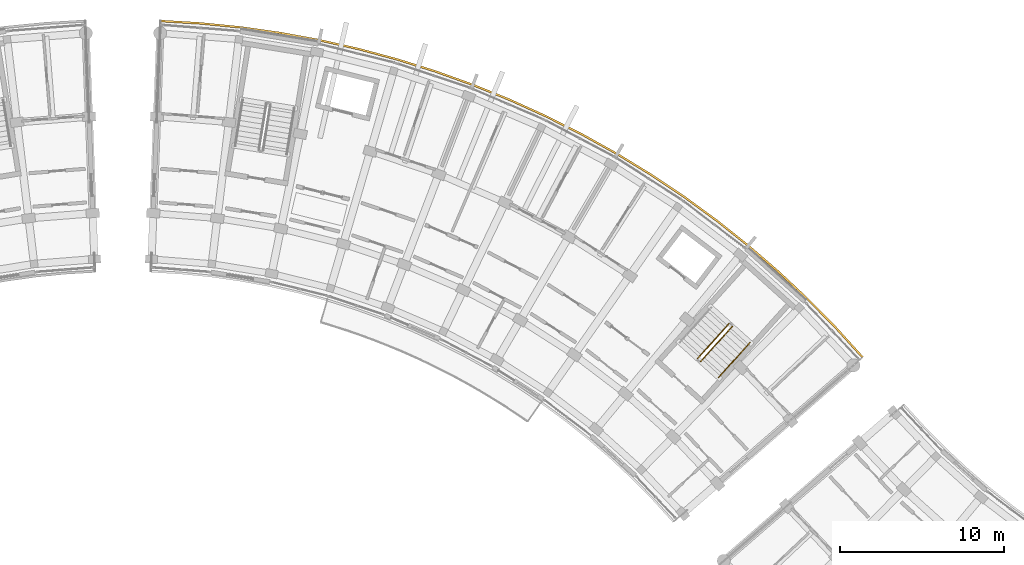
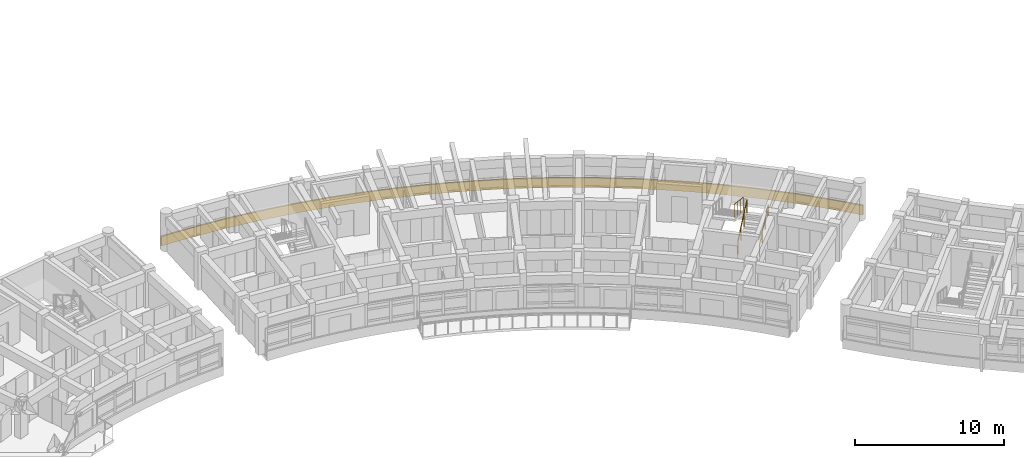
# One storey, part 52 of 56: 4 railings.
"""IFC4 building model written with IfcOpenShell, lengths in metres."""

from ifc_helpers import new_model, si_unit, direction, frame, origin, origin_2d, place, context, subcontext, project, spatial, polyline, circle, outline, extrude, material, type_object, element, save


model = new_model("IFC4")

# Units and contexts
model_context = context("Model", 3, precision=1e-05, world=origin(), true_north=direction((0.0, 1.0)))
body_context = subcontext(model_context, "Body", "Model", "MODEL_VIEW")
ifc_project = project(units=[si_unit("LENGTHUNIT", "METRE"), si_unit("AREAUNIT", "SQUARE_METRE"), si_unit("VOLUMEUNIT", "CUBIC_METRE"), si_unit("PLANEANGLEUNIT", "RADIAN"), si_unit("MASSUNIT", "GRAM", prefix="KILO")], contexts=[model_context])

# Site, building, storey
site_placement = place(None, origin())
site = spatial("IfcSite", under=ifc_project, at=site_placement, CompositionType="ELEMENT")
building_placement = place(site_placement, origin())
building = spatial("IfcBuilding", under=site, at=building_placement, Name="Zimvara Arc Housing Community", CompositionType="ELEMENT")
storey_placement = place(building_placement, frame((0.0, 0.0, 11.199951171875)))
storey = spatial("IfcBuildingStorey", under=building, at=storey_placement, Name="L03", CompositionType="ELEMENT", Elevation=11.199951171875)

# Railings
ifc_material_1 = material(Name="Anodised Aluminium AW-6063", Category="aluminium")
railing_type_1 = type_object("IfcRailingType", Name="RLG-BAL-1120", PredefinedType="BALUSTRADE", material=ifc_material_1)
railing_1_placement = place(storey_placement, frame((80.1455078125, 83.365966796875, 0.155029296875)))
element("IfcRailing", 1, at=railing_1_placement, inside=storey, type_object=railing_type_1, Name="L03 ST-B2 stair guard 1", PredefinedType="BALUSTRADE", context=body_context, shape_type="SweptSolid", body=[
    extrude(circle(Radius=0.02392578125, at=origin_2d()), frame((0.0, 0.0, 1.09619140625), z_axis=(0.601231728384, 0.668248248038, 0.438137749775), x_axis=(-0.743400174344, 0.668846903847, 0.0)), (0.0, 0.0, 1.0), 3.18408203125),
    extrude(circle(Radius=0.02099609375, at=origin_2d()), origin(), (0.0, 0.0, 1.0), 1.072021484375),
    extrude(circle(Radius=0.02099609375, at=origin_2d()), frame((0.63818359375, 0.709228515625, 0.465087890625)), (0.0, 0.0, 1.0), 1.072021484375),
    extrude(circle(Radius=0.02099609375, at=origin_2d()), frame((1.276123046875, 1.41845703125, 0.929931640625)), (0.0, 0.0, 1.0), 1.072021484375),
    extrude(circle(Radius=0.02099609375, at=origin_2d()), frame((1.914306640625, 2.127685546875, 1.39501953125)), (0.0, 0.0, 1.0), 1.072021484375),
])
railing_2_placement = place(storey_placement, frame((81.866455078125, 85.66748046875, 1.705078125)))
element("IfcRailing", 2, at=railing_2_placement, inside=storey, type_object=railing_type_1, Name="L03 ST-B2 stair guard 3", PredefinedType="BALUSTRADE", context=body_context, shape_type="SweptSolid", body=[
    extrude(circle(Radius=0.02392578125, at=origin_2d()), frame((0.0, 0.0, 1.09619140625), z_axis=(-0.601262536038, -0.668205807809, 0.438160200347), x_axis=(0.743362010683, -0.668889319, 0.0)), (0.0, 0.0, 1.0), 3.183837890625),
    extrude(circle(Radius=0.02099609375, at=origin_2d()), origin(), (0.0, 0.0, 1.0), 1.072021484375),
    extrude(circle(Radius=0.02099609375, at=origin_2d()), frame((-0.63818359375, -0.709228515625, 0.465087890625)), (0.0, 0.0, 1.0), 1.072021484375),
    extrude(circle(Radius=0.02099609375, at=origin_2d()), frame((-1.276123046875, -1.418212890625, 0.929931640625)), (0.0, 0.0, 1.0), 1.072021484375),
    extrude(circle(Radius=0.02099609375, at=origin_2d()), frame((-1.914306640625, -2.12744140625, 1.39501953125)), (0.0, 0.0, 1.0), 1.072021484375),
])
ifc_material_2 = material(Name="Pale-Gold Anodised Aluminium AW-6063", Category="aluminium")
railing_type_2 = type_object("IfcRailingType", Name="RLG-FAS-780", PredefinedType="BALUSTRADE", material=ifc_material_2)
railing_3_placement = place(storey_placement, frame((0.0, 0.0, -0.219970703125)))
element("IfcRailing", 3, at=railing_3_placement, inside=storey, type_object=railing_type_2, Name="rlg:blkB:L03:gold_out", PredefinedType="BALUSTRADE", context=body_context, shape_type="SweptSolid", body=[
    extrude(outline(polyline([(47.286376953125, 104.01611328125), (49.71435546875, 103.873046875), (52.134765625, 103.631103515625), (54.54296875, 103.29052734375), (56.935546875, 102.851806640625), (59.307861328125, 102.31591796875), (61.65673828125, 101.68359375), (63.9775390625, 100.955810546875), (66.266845703125, 100.1337890625), (68.5205078125, 99.218994140625), (70.735107421875, 98.213134765625), (72.90673828125, 97.11767578125), (75.03173828125, 95.934326171875), (77.106689453125, 94.665283203125), (79.128173828125, 93.3125), (81.0927734375, 91.87841796875), (82.9970703125, 90.365234375), (84.837890625, 88.775634765625), (86.612548828125, 87.112060546875), (88.317626953125, 85.377685546875), (89.950439453125, 83.574951171875), (90.041015625, 83.653564453125), (88.40478515625, 85.4599609375), (86.6962890625, 87.197998046875), (84.918212890625, 88.86474609375), (83.073486328125, 90.457763671875), (81.165283203125, 91.973876953125), (79.197021484375, 93.410888671875), (77.17138671875, 94.766357421875), (75.09228515625, 96.037841796875), (72.962890625, 97.2236328125), (70.786865234375, 98.3212890625), (68.56787109375, 99.329345703125), (66.3095703125, 100.245849609375), (64.015625, 101.069580078125), (61.690185546875, 101.798583984375), (59.3369140625, 102.432373046875), (56.95947265625, 102.969482421875), (54.562255859375, 103.408935546875), (52.149169921875, 103.750244140625), (49.723876953125, 103.99267578125), (47.291015625, 104.135986328125), (47.286376953125, 104.01611328125)])), origin(), (0.0, 0.0, 1.0), 0.780029296875),
])
ifc_material_3 = material(Name="Anodised Aluminium AW-6063", Category="aluminium")
railing_type_3 = type_object("IfcRailingType", Name="RLG-HND-900", PredefinedType="HANDRAIL", material=ifc_material_3)
railing_4_placement = place(storey_placement, frame((81.230712890625, 82.389404296875, 0.155029296875)))
element("IfcRailing", 4, at=railing_4_placement, inside=storey, type_object=railing_type_3, Name="L03 ST-B2 stair handrail 1", PredefinedType="HANDRAIL", context=body_context, shape_type="SweptSolid", body=[
    extrude(circle(Radius=0.02392578125, at=origin_2d()), frame((0.0, 0.0, 0.8759765625), z_axis=(0.601231728384, 0.668248248038, 0.438137749775), x_axis=(-0.743400174344, 0.668846903847, 0.0)), (0.0, 0.0, 1.0), 3.18408203125),
    extrude(circle(Radius=0.02099609375, at=origin_2d()), origin(), (0.0, 0.0, 1.0), 0.851806640625),
    extrude(circle(Radius=0.02099609375, at=origin_2d()), frame((0.63818359375, 0.709228515625, 0.465087890625)), (0.0, 0.0, 1.0), 0.851806640625),
    extrude(circle(Radius=0.02099609375, at=origin_2d()), frame((1.276123046875, 1.41845703125, 0.929931640625)), (0.0, 0.0, 1.0), 0.851806640625),
    extrude(circle(Radius=0.02099609375, at=origin_2d()), frame((1.914306640625, 2.127685546875, 1.39501953125)), (0.0, 0.0, 1.0), 0.851806640625),
])

save(model, "model.ifc")
